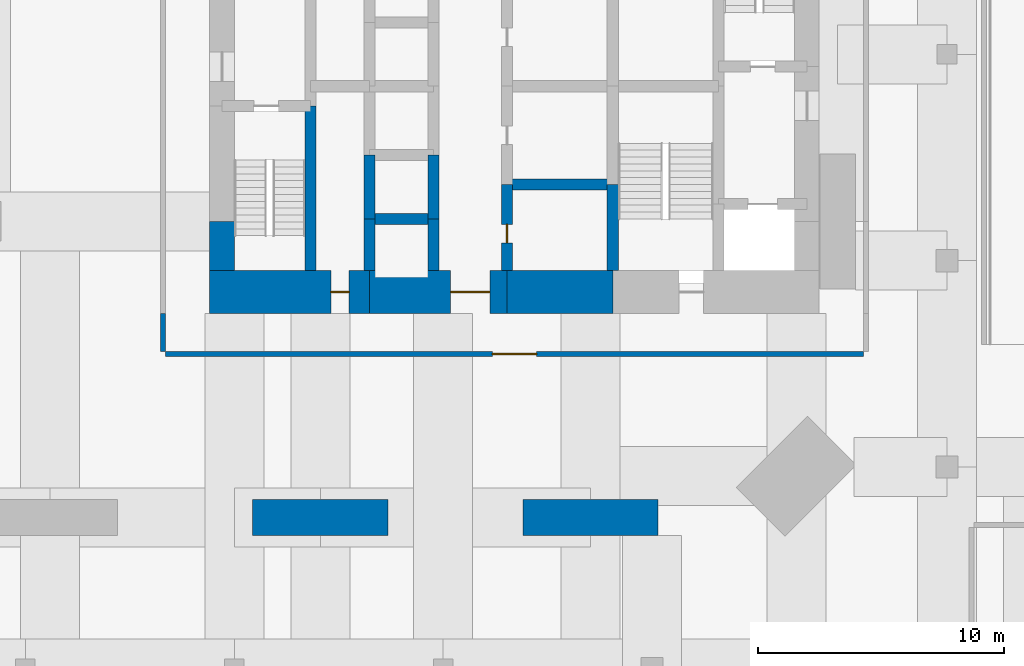
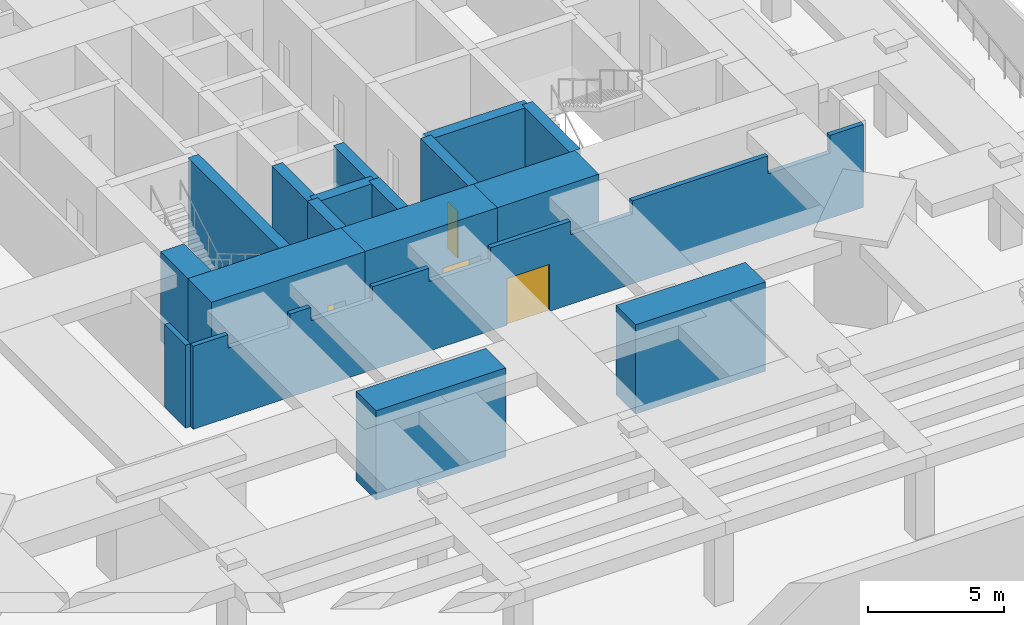
# One storey, part 4 of 10: 17 walls, 4 doors, 4 openings.
"""IFC4 building model written with IfcOpenShell, lengths in metres."""

from ifc_helpers import new_model, si_unit, direction, frame, frame_2d, origin, place, context, subcontext, project, spatial, polyline, rectangle, outline, extrude, material, layer, layer_set, constituent, constituent_set, type_object, element, fill, save


model = new_model("IFC4")

# Units and contexts
model_context = context("Model", 3, precision=1e-05, world=origin(), true_north=direction((0.0, 1.0)))
body_context = subcontext(model_context, "Body", "Model", "MODEL_VIEW")
ifc_project = project(units=[si_unit("LENGTHUNIT", "METRE"), si_unit("AREAUNIT", "SQUARE_METRE"), si_unit("VOLUMEUNIT", "CUBIC_METRE"), si_unit("PLANEANGLEUNIT", "RADIAN"), si_unit("MASSUNIT", "GRAM", prefix="KILO")], contexts=[model_context])

# Site, building, storey
site_placement = place(None, origin())
site = spatial("IfcSite", under=ifc_project, at=site_placement, CompositionType="ELEMENT")
building_placement = place(site_placement, origin())
building = spatial("IfcBuilding", under=site, at=building_placement, Name="Jalousie Tower", CompositionType="ELEMENT")
storey_placement = place(building_placement, frame((0.0, 0.0, -4.0)))
storey = spatial("IfcBuildingStorey", under=building, at=storey_placement, Name="B1", CompositionType="ELEMENT", Elevation=-4.0)

# Wall
ifc_material_1 = material(Name="Concrete f'c 120 MPa", Category="concrete")
ifc_layer_1 = layer(ifc_material_1, 1.0)
ifc_layer_set_1 = layer_set([ifc_layer_1], Name="Concrete f'c 120 MPa")
wall_type_1 = type_object("IfcWallType", Name="CORE WALL 1000", PredefinedType="SHEAR", material=ifc_layer_set_1)
wall_1_placement = place(storey_placement, frame((20.0, 13.0, 0.0), z_axis=(0.0, 0.0, 1.0), x_axis=(0.0, -1.0, 0.0)))
element("IfcWall", 1, at=wall_1_placement, inside=storey, type_object=wall_type_1, Name="Core wall WD B1", PredefinedType="SHEAR", context=body_context, shape_type="SweptSolid", body=[
    extrude(rectangle(XDim=2.0, YDim=1.0, at=frame_2d((1.0, 0.0))), origin(), (0.0, 0.0, 1.0), 4.0),
])

# Wall, opening, door
ifc_material_2 = material(Name="Concrete f'c 120 MPa", Category="concrete")
ifc_layer_2 = layer(ifc_material_2, 1.75)
ifc_layer_set_2 = layer_set([ifc_layer_2], Name="Concrete f'c 120 MPa")
wall_type_2 = type_object("IfcWallType", Name="CORE WALL 1750", PredefinedType="SHEAR", material=ifc_layer_set_2)
wall_2_placement = place(storey_placement, frame((19.5, 10.125, 0.0), z_axis=(0.0, 0.0, 1.0), x_axis=(1.0, 0.0, 0.0)))
wall_2 = element("IfcWall", 2, at=wall_2_placement, inside=storey, type_object=wall_type_2, Name="Core wall SA B1", PredefinedType="SHEAR", context=body_context, shape_type="SweptSolid", body=[
    extrude(rectangle(XDim=6.5, YDim=1.75, at=frame_2d((3.25, 0.0))), origin(), (0.0, 0.0, 1.0), 4.0),
])
opening_1_placement = place(wall_2_placement, frame((4.925048828125, 0.0, 0.0)))
opening_1 = element("IfcOpeningElement", 3, at=opening_1_placement, cuts=wall_2, Name="Opening D16", PredefinedType="OPENING", context=body_context, shape_type="SweptSolid", body=[
    extrude(rectangle(XDim=0.75, YDim=2.10009765625, at=frame_2d((0.375, 1.050048828125))), frame((0.0, 0.885009765625, 0.0), z_axis=(0.0, -1.0, 0.0), x_axis=(1.0, 0.0, 0.0)), (0.0, 0.0, 1.0), 1.77001953125),
])
ifc_material_3 = material(Name="Steel fire door", Category="steel")
door_type_1 = type_object("IfcDoorType", Name="RISER DOOR 750", OperationType="SINGLE_SWING_LEFT", PredefinedType="DOOR", material=ifc_material_3)
door_1_placement = place(opening_1_placement, origin())
door_1 = element("IfcDoor", 4, at=door_1_placement, inside=storey, type_object=door_type_1, Name="South riser door", OperationType="SINGLE_SWING_LEFT", OverallHeight=2.10009765625, OverallWidth=0.75, PredefinedType="DOOR", context=body_context, shape_type="SweptSolid", body=[
    extrude(rectangle(XDim=0.75, YDim=2.10009765625, at=frame_2d((0.375, 1.050048828125))), frame((0.0, 0.02490234375, 0.0), z_axis=(0.0, -1.0, 0.0), x_axis=(1.0, 0.0, 0.0)), (0.0, 0.0, 1.0), 0.050048828125),
])
fill(opening_1, door_1)

wall_3_placement = place(storey_placement, frame((26.0, 10.125, 0.0), z_axis=(0.0, 0.0, 1.0), x_axis=(1.0, 0.0, 0.0)))
wall_3 = element("IfcWall", 5, at=wall_3_placement, inside=storey, type_object=wall_type_2, Name="Core wall SB B1", PredefinedType="SHEAR", context=body_context, shape_type="SweptSolid", body=[
    extrude(rectangle(XDim=5.60009765625, YDim=1.75, at=frame_2d((2.800048828125, 0.0))), origin(), (0.0, 0.0, 1.0), 4.0),
])
opening_2_placement = place(wall_3_placement, frame((3.300048828125, 0.0, 0.0)))
opening_2 = element("IfcOpeningElement", 6, at=opening_2_placement, cuts=wall_3, Name="Opening D15", PredefinedType="OPENING", context=body_context, shape_type="SweptSolid", body=[
    extrude(rectangle(XDim=1.60009765625, YDim=2.10009765625, at=frame_2d((0.800048828125, 1.050048828125))), frame((0.0, 0.885009765625, 0.0), z_axis=(0.0, -1.0, 0.0), x_axis=(1.0, 0.0, 0.0)), (0.0, 0.0, 1.0), 1.77001953125),
])
ifc_material_4 = material(Name="Steel fire door", Category="steel")
door_type_2 = type_object("IfcDoorType", Name="LIFT LOBBY DOOR 1600", OperationType="DOUBLE_DOOR_SINGLE_SWING", PredefinedType="DOOR", material=ifc_material_4)
door_2_placement = place(opening_2_placement, origin())
door_2 = element("IfcDoor", 7, at=door_2_placement, inside=storey, type_object=door_type_2, Name="Lift lobby south door", OperationType="DOUBLE_DOOR_SINGLE_SWING", OverallHeight=2.10009765625, OverallWidth=1.60009765625, PredefinedType="DOOR", context=body_context, shape_type="SweptSolid", body=[
    extrude(rectangle(XDim=1.60009765625, YDim=2.10009765625, at=frame_2d((0.800048828125, 1.050048828125))), frame((0.0, 0.02490234375, 0.0), z_axis=(0.0, -1.0, 0.0), x_axis=(1.0, 0.0, 0.0)), (0.0, 0.0, 1.0), 0.050048828125),
])
fill(opening_2, door_2)

# Walls
wall_4_placement = place(storey_placement, frame((31.60009765625, 10.125, 0.0), z_axis=(0.0, 0.0, 1.0), x_axis=(1.0, 0.0, 0.0)))
element("IfcWall", 8, at=wall_4_placement, inside=storey, type_object=wall_type_2, Name="Core wall SC B1", PredefinedType="SHEAR", context=body_context, shape_type="SweptSolid", body=[
    extrude(rectangle(XDim=4.2998046875, YDim=1.75, at=frame_2d((2.14990234375, 0.0))), origin(), (0.0, 0.0, 1.0), 4.0),
])
ifc_material_5 = material(Name="Concrete f'c 120 MPa", Category="concrete")
ifc_layer_3 = layer(ifc_material_5, 0.449951171875)
ifc_layer_set_3 = layer_set([ifc_layer_3], Name="Concrete f'c 120 MPa")
wall_type_3 = type_object("IfcWallType", Name="CORE WALL 450", PredefinedType="SHEAR", material=ifc_layer_set_3)
wall_5_placement = place(storey_placement, frame((23.60009765625, 11.0, 0.0), z_axis=(0.0, 0.0, 1.0), x_axis=(0.0, 1.0, 0.0)))
element("IfcWall", 9, at=wall_5_placement, inside=storey, type_object=wall_type_3, Name="Core wall X23.6A B1", PredefinedType="SHEAR", context=body_context, shape_type="SweptSolid", body=[
    extrude(rectangle(XDim=6.699951171875, YDim=0.449951171875, at=frame_2d((3.35009765625, 0.0))), origin(), (0.0, 0.0, 1.0), 4.0),
])
wall_6_placement = place(storey_placement, frame((26.0, 11.0, 0.0), z_axis=(0.0, 0.0, 1.0), x_axis=(0.0, 1.0, 0.0)))
element("IfcWall", 10, at=wall_6_placement, inside=storey, type_object=wall_type_3, Name="Core wall X26A B1", PredefinedType="SHEAR", context=body_context, shape_type="SweptSolid", body=[
    extrude(rectangle(XDim=2.10009765625, YDim=0.449951171875, at=frame_2d((1.050048828125, 0.0))), origin(), (0.0, 0.0, 1.0), 4.0),
])
wall_7_placement = place(storey_placement, frame((26.0, 13.10009765625, 0.0), z_axis=(0.0, 0.0, 1.0), x_axis=(0.0, 1.0, 0.0)))
element("IfcWall", 11, at=wall_7_placement, inside=storey, type_object=wall_type_3, Name="Core wall X26B B1", PredefinedType="SHEAR", context=body_context, shape_type="SweptSolid", body=[
    extrude(rectangle(XDim=2.599853515625, YDim=0.449951171875, at=frame_2d((1.2998046875, 0.0))), origin(), (0.0, 0.0, 1.0), 4.0),
])
wall_8_placement = place(storey_placement, frame((28.60009765625, 11.0, 0.0), z_axis=(0.0, 0.0, 1.0), x_axis=(0.0, 1.0, 0.0)))
element("IfcWall", 12, at=wall_8_placement, inside=storey, type_object=wall_type_3, Name="Core wall X28.6A B1", PredefinedType="SHEAR", context=body_context, shape_type="SweptSolid", body=[
    extrude(rectangle(XDim=2.10009765625, YDim=0.449951171875, at=frame_2d((1.050048828125, 0.0))), origin(), (0.0, 0.0, 1.0), 4.0),
])
wall_9_placement = place(storey_placement, frame((28.60009765625, 13.10009765625, 0.0), z_axis=(0.0, 0.0, 1.0), x_axis=(0.0, 1.0, 0.0)))
element("IfcWall", 13, at=wall_9_placement, inside=storey, type_object=wall_type_3, Name="Core wall X28.6B B1", PredefinedType="SHEAR", context=body_context, shape_type="SweptSolid", body=[
    extrude(rectangle(XDim=2.599853515625, YDim=0.449951171875, at=frame_2d((1.2998046875, 0.0))), origin(), (0.0, 0.0, 1.0), 4.0),
])

# Wall, opening, door
wall_10_placement = place(storey_placement, frame((31.60009765625, 11.0, 0.0), z_axis=(0.0, 0.0, 1.0), x_axis=(0.0, 1.0, 0.0)))
wall_10 = element("IfcWall", 14, at=wall_10_placement, inside=storey, type_object=wall_type_3, Name="Core wall X31.6A B1", PredefinedType="SHEAR", context=body_context, shape_type="SweptSolid", body=[
    extrude(rectangle(XDim=3.5, YDim=0.449951171875, at=frame_2d((1.75, 0.0))), origin(), (0.0, 0.0, 1.0), 4.0),
])
opening_3_placement = place(wall_10_placement, frame((1.125, 0.0, 0.0)))
opening_3 = element("IfcOpeningElement", 15, at=opening_3_placement, cuts=wall_10, Name="Opening D16", PredefinedType="OPENING", context=body_context, shape_type="SweptSolid", body=[
    extrude(rectangle(XDim=0.75, YDim=2.10009765625, at=frame_2d((0.375, 1.050048828125))), frame((0.0, 0.23486328125, 0.0), z_axis=(0.0, -1.0, 0.0), x_axis=(1.0, 0.0, 0.0)), (0.0, 0.0, 1.0), 0.469970703125),
])
door_3_placement = place(opening_3_placement, frame((0.75, 0.0, 0.0), z_axis=(0.0, 0.0, 1.0), x_axis=(-1.0, 0.0, 0.0)))
door_3 = element("IfcDoor", 16, at=door_3_placement, inside=storey, type_object=door_type_1, Name="Refuse Room door", OperationType="SINGLE_SWING_RIGHT", OverallHeight=2.10009765625, OverallWidth=0.75, PredefinedType="DOOR", context=body_context, shape_type="SweptSolid", body=[
    extrude(rectangle(XDim=0.75, YDim=2.10009765625, at=frame_2d((0.375, 1.050048828125))), frame((0.0, 0.02490234375, 0.0), z_axis=(0.0, -1.0, 0.0), x_axis=(1.0, 0.0, 0.0)), (0.0, 0.0, 1.0), 0.050048828125),
])
fill(opening_3, door_3)

# Walls
wall_11_placement = place(storey_placement, frame((35.89990234375, 11.0, 0.0), z_axis=(0.0, 0.0, 1.0), x_axis=(0.0, 1.0, 0.0)))
element("IfcWall", 17, at=wall_11_placement, inside=storey, type_object=wall_type_3, Name="Core wall X35.9A B1", PredefinedType="SHEAR", context=body_context, shape_type="SweptSolid", body=[
    extrude(rectangle(XDim=3.5, YDim=0.449951171875, at=frame_2d((1.75, 0.0))), origin(), (0.0, 0.0, 1.0), 4.0),
])
wall_12_placement = place(storey_placement, frame((26.0, 13.10009765625, 0.0), z_axis=(0.0, 0.0, 1.0), x_axis=(1.0, 0.0, 0.0)))
element("IfcWall", 18, at=wall_12_placement, inside=storey, type_object=wall_type_3, Name="Core wall Y26-13.1 B1", PredefinedType="SHEAR", context=body_context, shape_type="SweptSolid", body=[
    extrude(rectangle(XDim=2.60009765625, YDim=0.449951171875, at=frame_2d((1.300048828125, 0.0))), origin(), (0.0, 0.0, 1.0), 4.0),
])
wall_13_placement = place(storey_placement, frame((31.60009765625, 14.5, 0.0), z_axis=(0.0, 0.0, 1.0), x_axis=(1.0, 0.0, 0.0)))
element("IfcWall", 19, at=wall_13_placement, inside=storey, type_object=wall_type_3, Name="Core wall Y31.6-14.5 B1", PredefinedType="SHEAR", context=body_context, shape_type="SweptSolid", body=[
    extrude(rectangle(XDim=4.2998046875, YDim=0.449951171875, at=frame_2d((2.14990234375, 0.0))), origin(), (0.0, 0.0, 1.0), 4.0),
])

# Wall, opening, door
ifc_material_6 = material(Name="Concrete block ASTM C90", Category="concrete")
ifc_constituent_1 = constituent(ifc_material_6, Name="Body")
ifc_material_7 = material(Name="Render")
ifc_constituent_2 = constituent(ifc_material_7, Name="Finish")
ifc_constituent_set = constituent_set(constituents=[ifc_constituent_1, ifc_constituent_2])
wall_type_4 = type_object("IfcWallType", Name="CORRIDOR WALL 200", PredefinedType="PARTITIONING", material=ifc_constituent_set)
wall_14_placement = place(storey_placement, frame((17.699951171875, 7.60009765625, 0.0), z_axis=(0.0, 0.0, 1.0), x_axis=(1.0, 0.0, 0.0)))
wall_14 = element("IfcWall", 20, at=wall_14_placement, inside=storey, type_object=wall_type_4, Name="Corridor Wall 200 B1", PredefinedType="PARTITIONING", context=body_context, shape_type="SweptSolid", body=[
    extrude(outline(polyline([(0.0, 0.0), (28.400146484375, 0.0), (28.39990234375, 3.719970703125), (26.978515625, 3.719970703125), (26.978515625, 2.919921875), (24.358642578125, 2.919921875), (24.358642578125, 3.719970703125), (18.610107421875, 3.719970703125), (18.610107421875, 3.1201171875), (15.989990234375, 3.1201171875), (15.989990234375, 3.719970703125), (12.610107421875, 3.719970703125), (12.610107421875, 3.1201171875), (9.989990234375, 3.1201171875), (9.989990234375, 3.719970703125), (7.610107421875, 3.719970703125), (7.610107421875, 3.1201171875), (4.989990234375, 3.1201171875), (4.989990234375, 3.719970703125), (4.110107421875, 3.719970703125), (4.110107421875, 3.1201171875), (1.489990234375, 3.1201171875), (1.489990234375, 3.719970703125), (0.0, 3.719970703125), (0.0, 0.0)])), frame((0.0, 0.10009765625, 0.0), z_axis=(0.0, -1.0, 0.0), x_axis=(1.0, 0.0, 0.0)), (0.0, 0.0, 1.0), 0.199951171875),
])
opening_4_placement = place(wall_14_placement, frame((13.300048828125, 0.0, 0.0)))
opening_4 = element("IfcOpeningElement", 21, at=opening_4_placement, cuts=wall_14, Name="Opening D12", PredefinedType="OPENING", context=body_context, shape_type="SweptSolid", body=[
    extrude(rectangle(XDim=1.800048828125, YDim=2.10009765625, at=frame_2d((0.89990234375, 1.050048828125))), frame((0.0, 0.10986328125, 0.0), z_axis=(0.0, -1.0, 0.0), x_axis=(1.0, 0.0, 0.0)), (0.0, 0.0, 1.0), 0.219970703125),
])
ifc_material_8 = material(Name="Steel fire door", Category="steel")
door_type_3 = type_object("IfcDoorType", Name="FIRE DOOR 1800", OperationType="DOUBLE_DOOR_SINGLE_SWING", PredefinedType="DOOR", material=ifc_material_8)
door_4_placement = place(opening_4_placement, origin())
door_4 = element("IfcDoor", 22, at=door_4_placement, inside=storey, type_object=door_type_3, Name="Lift lobby door south", OperationType="DOUBLE_DOOR_SINGLE_SWING", OverallHeight=2.10009765625, OverallWidth=1.800048828125, PredefinedType="DOOR", context=body_context, shape_type="SweptSolid", body=[
    extrude(rectangle(XDim=1.800048828125, YDim=2.10009765625, at=frame_2d((0.89990234375, 1.050048828125))), frame((0.0, 0.02490234375, 0.0), z_axis=(0.0, -1.0, 0.0), x_axis=(1.0, 0.0, 0.0)), (0.0, 0.0, 1.0), 0.050048828125),
])
fill(opening_4, door_4)

# Walls
wall_15_placement = place(storey_placement, frame((17.60009765625, 7.699951171875, 0.0), z_axis=(0.0, 0.0, 1.0), x_axis=(0.0, 1.0, 0.0)))
element("IfcWall", 23, at=wall_15_placement, inside=storey, type_object=wall_type_4, Name="Corridor Wall 200 B1", PredefinedType="PARTITIONING", context=body_context, shape_type="SweptSolid", body=[
    extrude(rectangle(XDim=1.550048828125, YDim=0.199951171875, at=frame_2d((0.77490234375, 0.0))), origin(), (0.0, 0.0, 1.0), 3.719970703125),
])
ifc_material_9 = material(Name="Concrete f'c 120 MPa", Category="concrete")
ifc_layer_4 = layer(ifc_material_9, 1.449951171875)
ifc_layer_set_4 = layer_set([ifc_layer_4], Name="Concrete f'c 120 MPa")
wall_type_5 = type_object("IfcWallType", Name="RC WALL PIER 1450", PredefinedType="SHEAR", material=ifc_layer_set_4)
for number, where, z_axis, x_axis, name in (
    (24, (21.25, 0.949951171875, 0.0), (0.0, 0.0, 1.0), (1.0, 0.0, 0.0), "Wall pier 03 B1"),
    (25, (32.25, 0.949951171875, 0.0), (0.0, 0.0, 1.0), (1.0, 0.0, 0.0), "Wall pier 04 B1"),
):
    element("IfcWall", number, at=place(storey_placement, frame(where, z_axis=z_axis, x_axis=x_axis)), inside=storey, type_object=wall_type_5, Name=name, PredefinedType="SHEAR", context=body_context, shape_type="SweptSolid", body=[
        extrude(rectangle(XDim=5.5, YDim=1.449951171875, at=frame_2d((2.75, 0.0))), origin(), (0.0, 0.0, 1.0), 4.0),
    ])

save(model, "model.ifc")
